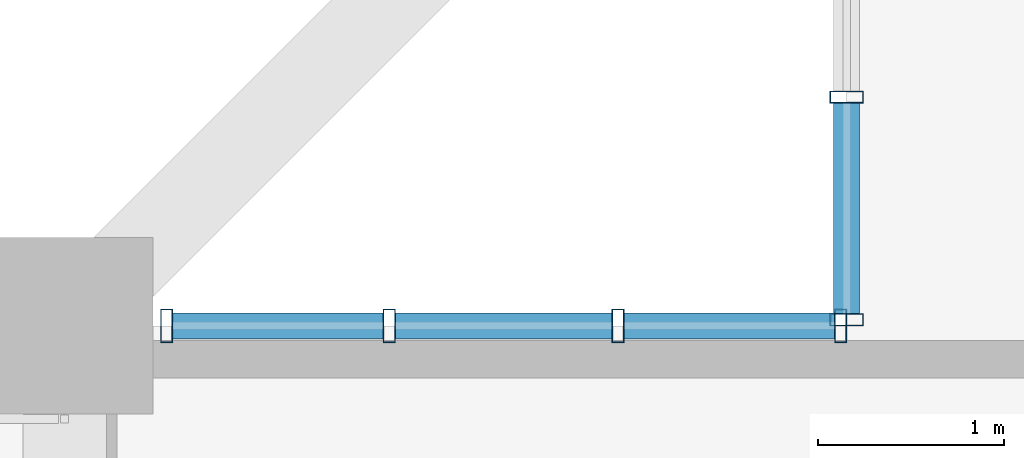
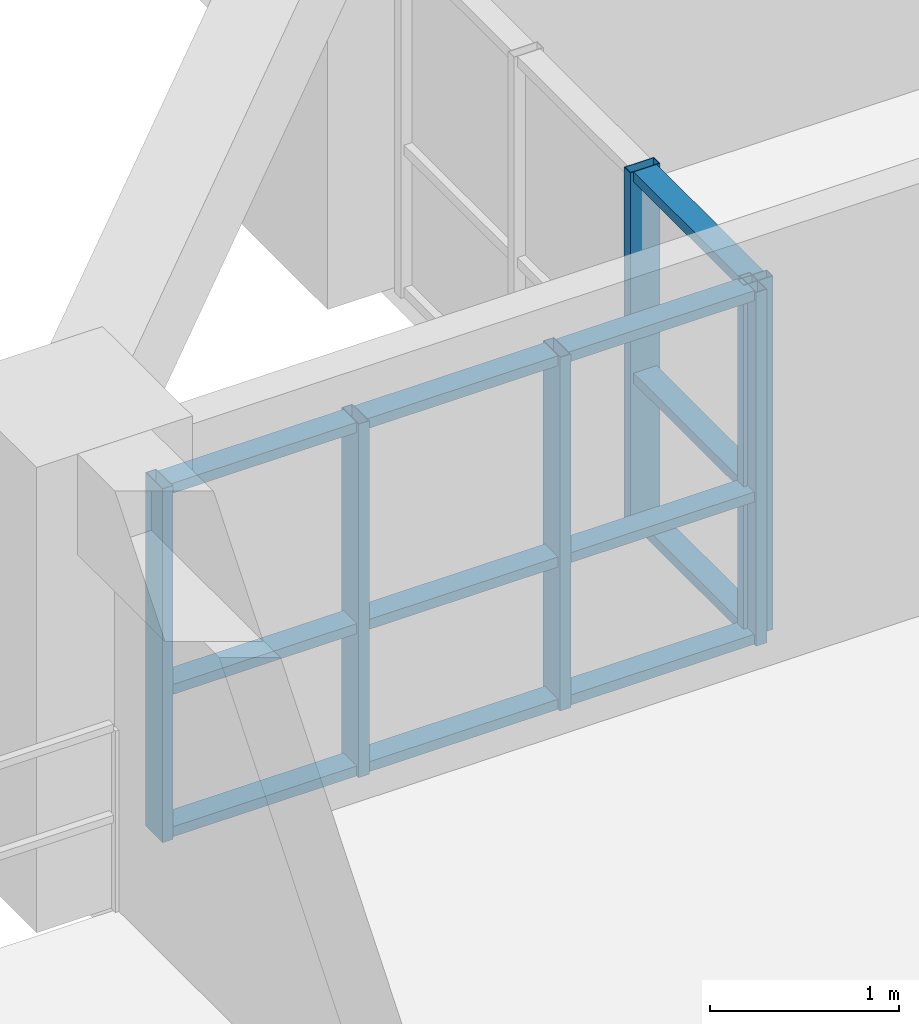
# One storey, part 6 of 24: 18 members, 2 elements without a shape of their own.
"""IFC4 building model written with IfcOpenShell, lengths in metres."""

from ifc_helpers import new_model, si_unit, direction, frame, origin, origin_2d, place, context, subcontext, project, spatial, hollow_rectangle, extrude, source, transform, mapped, material, layer, layer_set, material_profile, profile_set, type_object, element, aggregate, save


model = new_model("IFC4")

# Units and contexts
model_context = context("Model", 3, precision=1e-05, world=origin(), true_north=direction((0.0, 1.0)))
body_context = subcontext(model_context, "Body", "Model", "MODEL_VIEW")
ifc_project = project(units=[si_unit("LENGTHUNIT", "METRE"), si_unit("AREAUNIT", "SQUARE_METRE"), si_unit("VOLUMEUNIT", "CUBIC_METRE"), si_unit("PLANEANGLEUNIT", "RADIAN"), si_unit("MASSUNIT", "GRAM", prefix="KILO")], contexts=[model_context])

# Site, building, storey
site_placement = place(None, origin())
site = spatial("IfcSite", under=ifc_project, at=site_placement, CompositionType="ELEMENT")
building_placement = place(site_placement, origin())
building = spatial("IfcBuilding", under=site, at=building_placement, Name="Saelheon Loggia Tower", CompositionType="ELEMENT")
storey_placement = place(building_placement, frame((0.0, 0.0, 98.85009765625)))
storey = spatial("IfcBuildingStorey", under=building, at=storey_placement, Name="L31", CompositionType="ELEMENT", Elevation=98.85009765625)

# Curtain wall, members
ifc_material_1 = material(Name="Thermal-Break Aluminium and Triple Low-E Glass", Category="aluminium")
ifc_layer = layer(ifc_material_1, 0.159912109375)
ifc_layer_set = layer_set([ifc_layer], Name="Thermal-Break Aluminium and Triple Low-E Glass")
curtain_wall_type = type_object("IfcCurtainWallType", Name="CW_TowerLoggiaLow", PredefinedType="NOTDEFINED", material=ifc_layer_set)
curtain_wall_1_placement = place(storey_placement, origin())
curtain_wall_1 = element("IfcCurtainWall", 1, at=curtain_wall_1_placement, inside=storey, type_object=curtain_wall_type, Name="L31 Corner Notch Glazing NW1", PredefinedType="NOTDEFINED")
ifc_material_2 = material(Name="Anodised Aluminium 6063-T6", Category="aluminium")
ifc_material_profile_1 = material_profile(ifc_material_2, hollow_rectangle(XDim=0.06494140625, YDim=0.179931640625, WallThickness=0.00390625, at=origin_2d()), Name="RHS-180x65x4")
ifc_profile_set_1 = profile_set([ifc_material_profile_1], Name="Anodised Aluminium 6063-T6")
member_type_1 = type_object("IfcMemberType", Name="CW_TowerLoggiaLow_Mullion", PredefinedType="MULLION", material=ifc_profile_set_1)
shared_shape_1 = source(origin(), body_context, "Body", "SweptSolid", [
    extrude(hollow_rectangle(XDim=0.06494140625, YDim=0.179931640625, WallThickness=0.00390625, at=origin_2d()), origin(), (0.0, 0.0, 1.0), 2.27978515625),
])
member_1_placement = place(storey_placement, frame((16.199951171875, 46.83251953125, 0.0), z_axis=(0.0, 0.0, 1.0), x_axis=(0.0, 1.0, 0.0)))
member_1 = element("IfcMember", 2, at=member_1_placement, type_object=member_type_1, Name="CW3 mullion 1", PredefinedType="MULLION", context=body_context, shape_type="MappedRepresentation", body=[
    mapped(shared_shape_1, transform((0.0, 0.0, 0.0), scale=1.0)),
])
member_2_placement = place(storey_placement, frame((16.199951171875, 48.0283203125, 0.0), z_axis=(0.0, 0.0, 1.0), x_axis=(0.0, 1.0, 0.0)))
member_2 = element("IfcMember", 3, at=member_2_placement, type_object=member_type_1, Name="CW3 mullion 2", PredefinedType="MULLION", context=body_context, shape_type="MappedRepresentation", body=[
    mapped(shared_shape_1, transform((0.0, 0.0, 0.0), scale=1.0)),
])

curtain_wall_2_placement = place(storey_placement, origin())
curtain_wall_2 = element("IfcCurtainWall", 4, at=curtain_wall_2_placement, inside=storey, type_object=curtain_wall_type, Name="L31 Corner Notch Glazing NW2", PredefinedType="NOTDEFINED")
member_3_placement = place(storey_placement, frame((12.547607421875, 46.800048828125, 0.0), z_axis=(0.0, 0.0, 1.0), x_axis=(1.0, 0.0, 0.0)))
member_3 = element("IfcMember", 5, at=member_3_placement, type_object=member_type_1, Name="CW3 mullion 1", PredefinedType="MULLION", context=body_context, shape_type="MappedRepresentation", body=[
    mapped(shared_shape_1, transform((0.0, 0.0, 0.0), scale=1.0)),
])
member_4_placement = place(storey_placement, frame((13.743408203125, 46.800048828125, 0.0), z_axis=(0.0, 0.0, 1.0), x_axis=(1.0, 0.0, 0.0)))
member_4 = element("IfcMember", 6, at=member_4_placement, type_object=member_type_1, Name="CW3 mullion 2", PredefinedType="MULLION", context=body_context, shape_type="MappedRepresentation", body=[
    mapped(shared_shape_1, transform((0.0, 0.0, 0.0), scale=1.0)),
])
member_5_placement = place(storey_placement, frame((14.9716796875, 46.800048828125, 0.0), z_axis=(0.0, 0.0, 1.0), x_axis=(1.0, 0.0, 0.0)))
member_5 = element("IfcMember", 7, at=member_5_placement, type_object=member_type_1, Name="CW3 mullion 3", PredefinedType="MULLION", context=body_context, shape_type="MappedRepresentation", body=[
    mapped(shared_shape_1, transform((0.0, 0.0, 0.0), scale=1.0)),
])
member_6_placement = place(storey_placement, frame((16.16748046875, 46.800048828125, 0.0), z_axis=(0.0, 0.0, 1.0), x_axis=(1.0, 0.0, 0.0)))
member_6 = element("IfcMember", 8, at=member_6_placement, type_object=member_type_1, Name="CW3 mullion 4", PredefinedType="MULLION", context=body_context, shape_type="MappedRepresentation", body=[
    mapped(shared_shape_1, transform((0.0, 0.0, 0.0), scale=1.0)),
])

# Member
ifc_material_profile_2 = material_profile(ifc_material_2, hollow_rectangle(XDim=0.06494140625, YDim=0.139892578125, WallThickness=0.00390625, at=origin_2d()), Name="RHS-140x65x4")
ifc_profile_set_2 = profile_set([ifc_material_profile_2], Name="Anodised Aluminium 6063-T6")
member_type_2 = type_object("IfcMemberType", Name="CW_TowerLoggiaLow_Transom", PredefinedType="USERDEFINED", material=ifc_profile_set_2)
shared_shape_2 = source(origin(), body_context, "Body", "SweptSolid", [
    extrude(hollow_rectangle(XDim=0.06494140625, YDim=0.139892578125, WallThickness=0.00390625, at=origin_2d()), origin(), (0.0, 0.0, 1.0), 1.130859375),
])
member_7_placement = place(storey_placement, frame((16.199951171875, 46.864990234375, 0.032470703125), z_axis=(0.0, 1.0, 0.0), x_axis=(0.0, 0.0, 1.0)))
member_7 = element("IfcMember", 9, at=member_7_placement, type_object=member_type_2, Name="CW3 transom 1.1", ObjectType="TRANSOM", PredefinedType="USERDEFINED", context=body_context, shape_type="MappedRepresentation", body=[
    mapped(shared_shape_2, transform((0.0, 0.0, 0.0), scale=1.0)),
])

member_8_placement = place(storey_placement, frame((16.199951171875, 46.864990234375, 0.949951171875), z_axis=(0.0, 1.0, 0.0), x_axis=(0.0, 0.0, 1.0)))
member_8 = element("IfcMember", 10, at=member_8_placement, type_object=member_type_2, Name="CW3 transom 1.2", ObjectType="TRANSOM", PredefinedType="USERDEFINED", context=body_context, shape_type="MappedRepresentation", body=[
    mapped(shared_shape_2, transform((0.0, 0.0, 0.0), scale=1.0)),
])

member_9_placement = place(storey_placement, frame((16.199951171875, 46.864990234375, 2.247314453125), z_axis=(0.0, 1.0, 0.0), x_axis=(0.0, 0.0, 1.0)))
member_9 = element("IfcMember", 11, at=member_9_placement, type_object=member_type_2, Name="CW3 transom 1.3", ObjectType="TRANSOM", PredefinedType="USERDEFINED", context=body_context, shape_type="MappedRepresentation", body=[
    mapped(shared_shape_2, transform((0.0, 0.0, 0.0), scale=1.0)),
])

aggregate(curtain_wall_1, [member_1, member_2, member_7, member_8, member_9])

member_10_placement = place(storey_placement, frame((12.580078125, 46.800048828125, 0.032470703125), z_axis=(1.0, 0.0, 0.0), x_axis=(0.0, 0.0, 1.0)))
member_10 = element("IfcMember", 12, at=member_10_placement, type_object=member_type_2, Name="CW3 transom 1.1", ObjectType="TRANSOM", PredefinedType="USERDEFINED", context=body_context, shape_type="MappedRepresentation", body=[
    mapped(shared_shape_2, transform((0.0, 0.0, 0.0), scale=1.0)),
])

member_11_placement = place(storey_placement, frame((12.580078125, 46.800048828125, 0.949951171875), z_axis=(1.0, 0.0, 0.0), x_axis=(0.0, 0.0, 1.0)))
member_11 = element("IfcMember", 13, at=member_11_placement, type_object=member_type_2, Name="CW3 transom 1.2", ObjectType="TRANSOM", PredefinedType="USERDEFINED", context=body_context, shape_type="MappedRepresentation", body=[
    mapped(shared_shape_2, transform((0.0, 0.0, 0.0), scale=1.0)),
])

member_12_placement = place(storey_placement, frame((12.580078125, 46.800048828125, 2.247314453125), z_axis=(1.0, 0.0, 0.0), x_axis=(0.0, 0.0, 1.0)))
member_12 = element("IfcMember", 14, at=member_12_placement, type_object=member_type_2, Name="CW3 transom 1.3", ObjectType="TRANSOM", PredefinedType="USERDEFINED", context=body_context, shape_type="MappedRepresentation", body=[
    mapped(shared_shape_2, transform((0.0, 0.0, 0.0), scale=1.0)),
])

member_13_placement = place(storey_placement, frame((15.004150390625, 46.800048828125, 0.032470703125), z_axis=(1.0, 0.0, 0.0), x_axis=(0.0, 0.0, 1.0)))
member_13 = element("IfcMember", 15, at=member_13_placement, type_object=member_type_2, Name="CW3 transom 3.1", ObjectType="TRANSOM", PredefinedType="USERDEFINED", context=body_context, shape_type="MappedRepresentation", body=[
    mapped(shared_shape_2, transform((0.0, 0.0, 0.0), scale=1.0)),
])

member_14_placement = place(storey_placement, frame((15.004150390625, 46.800048828125, 0.949951171875), z_axis=(1.0, 0.0, 0.0), x_axis=(0.0, 0.0, 1.0)))
member_14 = element("IfcMember", 16, at=member_14_placement, type_object=member_type_2, Name="CW3 transom 3.2", ObjectType="TRANSOM", PredefinedType="USERDEFINED", context=body_context, shape_type="MappedRepresentation", body=[
    mapped(shared_shape_2, transform((0.0, 0.0, 0.0), scale=1.0)),
])

member_15_placement = place(storey_placement, frame((15.004150390625, 46.800048828125, 2.247314453125), z_axis=(1.0, 0.0, 0.0), x_axis=(0.0, 0.0, 1.0)))
member_15 = element("IfcMember", 17, at=member_15_placement, type_object=member_type_2, Name="CW3 transom 3.3", ObjectType="TRANSOM", PredefinedType="USERDEFINED", context=body_context, shape_type="MappedRepresentation", body=[
    mapped(shared_shape_2, transform((0.0, 0.0, 0.0), scale=1.0)),
])

shared_shape_3 = source(origin(), body_context, "Body", "SweptSolid", [
    extrude(hollow_rectangle(XDim=0.06494140625, YDim=0.139892578125, WallThickness=0.00390625, at=origin_2d()), origin(), (0.0, 0.0, 1.0), 1.163330078125),
])
member_16_placement = place(storey_placement, frame((13.77587890625, 46.800048828125, 0.032470703125), z_axis=(1.0, 0.0, 0.0), x_axis=(0.0, 0.0, 1.0)))
member_16 = element("IfcMember", 18, at=member_16_placement, type_object=member_type_2, Name="CW3 transom 2.1", ObjectType="TRANSOM", PredefinedType="USERDEFINED", context=body_context, shape_type="MappedRepresentation", body=[
    mapped(shared_shape_3, transform((0.0, 0.0, 0.0), scale=1.0)),
])

member_17_placement = place(storey_placement, frame((13.77587890625, 46.800048828125, 0.949951171875), z_axis=(1.0, 0.0, 0.0), x_axis=(0.0, 0.0, 1.0)))
member_17 = element("IfcMember", 19, at=member_17_placement, type_object=member_type_2, Name="CW3 transom 2.2", ObjectType="TRANSOM", PredefinedType="USERDEFINED", context=body_context, shape_type="MappedRepresentation", body=[
    mapped(shared_shape_3, transform((0.0, 0.0, 0.0), scale=1.0)),
])

member_18_placement = place(storey_placement, frame((13.77587890625, 46.800048828125, 2.247314453125), z_axis=(1.0, 0.0, 0.0), x_axis=(0.0, 0.0, 1.0)))
member_18 = element("IfcMember", 20, at=member_18_placement, type_object=member_type_2, Name="CW3 transom 2.3", ObjectType="TRANSOM", PredefinedType="USERDEFINED", context=body_context, shape_type="MappedRepresentation", body=[
    mapped(shared_shape_3, transform((0.0, 0.0, 0.0), scale=1.0)),
])

aggregate(curtain_wall_2, [member_3, member_4, member_5, member_6, member_10, member_11, member_12, member_16, member_17, member_18, member_13, member_14, member_15])

save(model, "model.ifc")
